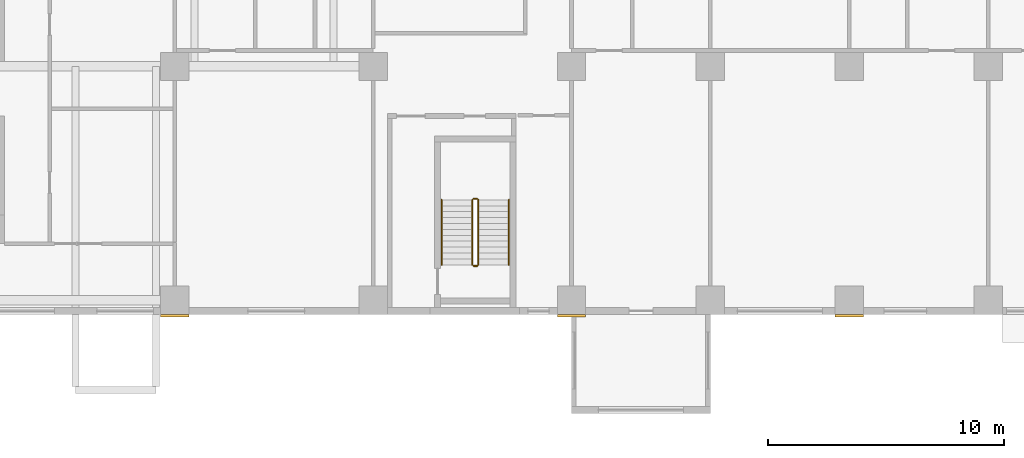
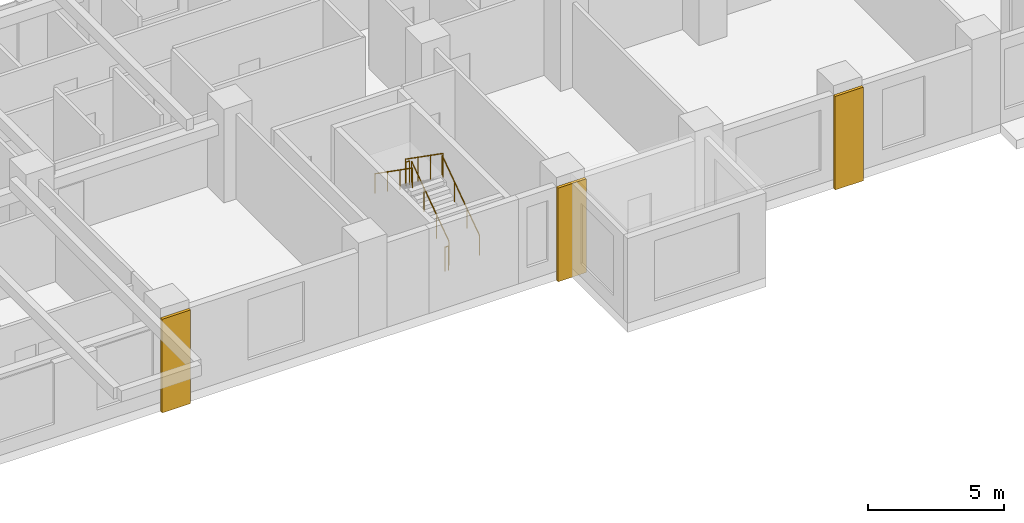
# One storey, part 12 of 15: 6 railings, 3 coverings.
"""IFC4 building model written with IfcOpenShell, lengths in metres."""

from ifc_helpers import new_model, si_unit, direction, frame, origin, origin_2d, place, context, subcontext, project, spatial, rectangle, circle, extrude, source, transform, mapped, material, type_object, element, save


model = new_model("IFC4")

# Units and contexts
model_context = context("Model", 3, precision=1e-05, world=origin(), true_north=direction((0.0, 1.0)))
body_context = subcontext(model_context, "Body", "Model", "MODEL_VIEW")
ifc_project = project(units=[si_unit("LENGTHUNIT", "METRE"), si_unit("AREAUNIT", "SQUARE_METRE"), si_unit("VOLUMEUNIT", "CUBIC_METRE"), si_unit("PLANEANGLEUNIT", "RADIAN"), si_unit("MASSUNIT", "GRAM", prefix="KILO")], contexts=[model_context])

# Site, building, storey
site_placement = place(None, origin())
site = spatial("IfcSite", under=ifc_project, at=site_placement, CompositionType="ELEMENT")
building_placement = place(site_placement, origin())
building = spatial("IfcBuilding", under=site, at=building_placement, Name="Aurelian Terraces", CompositionType="ELEMENT")
storey_placement = place(building_placement, frame((0.0, 0.0, 61.5)))
storey = spatial("IfcBuildingStorey", under=building, at=storey_placement, Name="L12", CompositionType="ELEMENT", Elevation=61.5)

# Coverings
ifc_material_1 = material(Name="Terracotta rainscreen cladding relief", Category="masonry")
covering_type = type_object("IfcCoveringType", Name="BAGUETTE-TC", PredefinedType="CLADDING", material=ifc_material_1)
shared_shape_1 = source(origin(), body_context, "Body", "SweptSolid", [
    extrude(rectangle(XDim=1.2, YDim=0.12, at=origin_2d()), origin(), (0.0, 0.0, 1.0), 4.2),
])
for number, where, z_axis, x_axis, name in (
    (1, (29.4, -0.06, -0.4), (0.0, 0.0, 1.0), (1.0, 0.0, 0.0), "BAGUETTE pier L12 2"),
    (2, (46.2, -0.06, -0.4), (0.0, 0.0, 1.0), (1.0, 0.0, 0.0), "BAGUETTE pier L12 3"),
    (3, (57.96, -0.06, -0.4), (0.0, 0.0, 1.0), (1.0, 0.0, 0.0), "BAGUETTE pier L12 4"),
):
    element("IfcCovering", number, at=place(storey_placement, frame(where, z_axis=z_axis, x_axis=x_axis)), inside=storey, type_object=covering_type, Name=name, PredefinedType="CLADDING", context=body_context, shape_type="MappedRepresentation", body=[
        mapped(shared_shape_1, transform((0.0, 0.0, 0.0), scale=1.0)),
    ])

# Railings
ifc_material_2 = material(Name="Stainless steel", Category="steel")
railing_type_1 = type_object("IfcRailingType", Name="Stair guard 1100", PredefinedType="GUARDRAIL", material=ifc_material_2)
shared_shape_2 = source(origin(), body_context, "Body", "SweptSolid", [
    extrude(circle(Radius=0.024, at=origin_2d()), frame((0.0, 0.0, 1.076), z_axis=(-1.0, 0.0, 0.0), x_axis=(0.0, -1.0, 0.0)), (0.0, 0.0, 1.0), 0.15),
    extrude(circle(Radius=0.021, at=origin_2d()), origin(), (0.0, 0.0, 1.0), 1.052),
    extrude(circle(Radius=0.021, at=origin_2d()), frame((-0.15, 0.0, 0.0)), (0.0, 0.0, 1.0), 1.052),
])
for number, where, name in (
    (4, (42.2, 4.9, 2.1), "L12 S2 stair guard 2"),
    (5, (42.2, 2.05, 0.0), "L12 S2 stair guard 4"),
):
    element("IfcRailing", number, at=place(storey_placement, frame(where)), inside=storey, type_object=railing_type_1, Name=name, PredefinedType="GUARDRAIL", context=body_context, shape_type="MappedRepresentation", body=[
        mapped(shared_shape_2, transform((0.0, 0.0, 0.0), scale=1.0)),
    ])
shared_shape_3 = source(origin(), body_context, "Body", "SweptSolid", [
    extrude(circle(Radius=0.024, at=origin_2d()), frame((0.0, 0.0, 1.076), z_axis=(0.0, 0.819231920519, 0.573462344363), x_axis=(-1.0, 0.0, 0.0)), (0.0, 0.0, 1.0), 3.3568),
    extrude(circle(Radius=0.021, at=origin_2d()), origin(), (0.0, 0.0, 1.0), 1.052),
    extrude(circle(Radius=0.021, at=origin_2d()), frame((0.0, 0.9167, 0.6417)), (0.0, 0.0, 1.0), 1.052),
    extrude(circle(Radius=0.021, at=origin_2d()), frame((0.0, 1.8333, 1.2833)), (0.0, 0.0, 1.0), 1.052),
    extrude(circle(Radius=0.021, at=origin_2d()), frame((0.0, 2.75, 1.925)), (0.0, 0.0, 1.0), 1.052),
])
railing_1_placement = place(storey_placement, frame((42.25, 2.1, 0.175)))
element("IfcRailing", 6, at=railing_1_placement, inside=storey, type_object=railing_type_1, Name="L12 S2 stair guard 1", PredefinedType="GUARDRAIL", context=body_context, shape_type="MappedRepresentation", body=[
    mapped(shared_shape_3, transform((0.0, 0.0, 0.0), scale=1.0)),
])
shared_shape_4 = source(origin(), body_context, "Body", "SweptSolid", [
    extrude(circle(Radius=0.024, at=origin_2d()), frame((0.0, 0.0, 1.076), z_axis=(0.0, -0.819231920519, 0.573462344363), x_axis=(1.0, 0.0, 0.0)), (0.0, 0.0, 1.0), 3.3568),
    extrude(circle(Radius=0.021, at=origin_2d()), origin(), (0.0, 0.0, 1.0), 1.052),
    extrude(circle(Radius=0.021, at=origin_2d()), frame((0.0, -0.9167, 0.6417)), (0.0, 0.0, 1.0), 1.052),
    extrude(circle(Radius=0.021, at=origin_2d()), frame((0.0, -1.8333, 1.2833)), (0.0, 0.0, 1.0), 1.052),
    extrude(circle(Radius=0.021, at=origin_2d()), frame((0.0, -2.75, 1.925)), (0.0, 0.0, 1.0), 1.052),
])
railing_2_placement = place(storey_placement, frame((42.0, 4.85, 2.275)))
element("IfcRailing", 7, at=railing_2_placement, inside=storey, type_object=railing_type_1, Name="L12 S2 stair guard 3", PredefinedType="GUARDRAIL", context=body_context, shape_type="MappedRepresentation", body=[
    mapped(shared_shape_4, transform((0.0, 0.0, 0.0), scale=1.0)),
])
railing_type_2 = type_object("IfcRailingType", Name="Stair handrail", PredefinedType="HANDRAIL", material=ifc_material_2)
shared_shape_5 = source(origin(), body_context, "Body", "SweptSolid", [
    extrude(circle(Radius=0.024, at=origin_2d()), frame((0.0, 0.0, 0.876), z_axis=(0.0, 0.819231920519, 0.573462344363), x_axis=(-1.0, 0.0, 0.0)), (0.0, 0.0, 1.0), 3.3568),
    extrude(circle(Radius=0.021, at=origin_2d()), origin(), (0.0, 0.0, 1.0), 0.852),
    extrude(circle(Radius=0.021, at=origin_2d()), frame((0.0, 0.9167, 0.6417)), (0.0, 0.0, 1.0), 0.852),
    extrude(circle(Radius=0.021, at=origin_2d()), frame((0.0, 1.8333, 1.2833)), (0.0, 0.0, 1.0), 0.852),
    extrude(circle(Radius=0.021, at=origin_2d()), frame((0.0, 2.75, 1.925)), (0.0, 0.0, 1.0), 0.852),
])
railing_3_placement = place(storey_placement, frame((43.55, 2.1, 0.175)))
element("IfcRailing", 8, at=railing_3_placement, inside=storey, type_object=railing_type_2, Name="L12 S2 stair handrail 1", PredefinedType="HANDRAIL", context=body_context, shape_type="MappedRepresentation", body=[
    mapped(shared_shape_5, transform((0.0, 0.0, 0.0), scale=1.0)),
])
shared_shape_6 = source(origin(), body_context, "Body", "SweptSolid", [
    extrude(circle(Radius=0.024, at=origin_2d()), frame((0.0, 0.0, 0.876), z_axis=(0.0, -0.819231920519, 0.573462344363), x_axis=(1.0, 0.0, 0.0)), (0.0, 0.0, 1.0), 3.3568),
    extrude(circle(Radius=0.021, at=origin_2d()), origin(), (0.0, 0.0, 1.0), 0.852),
    extrude(circle(Radius=0.021, at=origin_2d()), frame((0.0, -0.9167, 0.6417)), (0.0, 0.0, 1.0), 0.852),
    extrude(circle(Radius=0.021, at=origin_2d()), frame((0.0, -1.8333, 1.2833)), (0.0, 0.0, 1.0), 0.852),
    extrude(circle(Radius=0.021, at=origin_2d()), frame((0.0, -2.75, 1.925)), (0.0, 0.0, 1.0), 0.852),
])
railing_4_placement = place(storey_placement, frame((40.7, 4.85, 2.275)))
element("IfcRailing", 9, at=railing_4_placement, inside=storey, type_object=railing_type_2, Name="L12 S2 stair handrail 2", PredefinedType="HANDRAIL", context=body_context, shape_type="MappedRepresentation", body=[
    mapped(shared_shape_6, transform((0.0, 0.0, 0.0), scale=1.0)),
])

save(model, "model.ifc")
